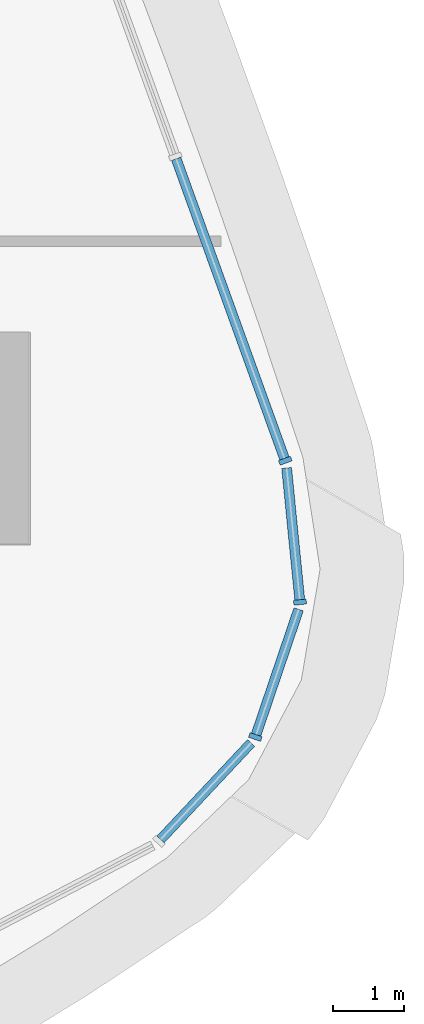
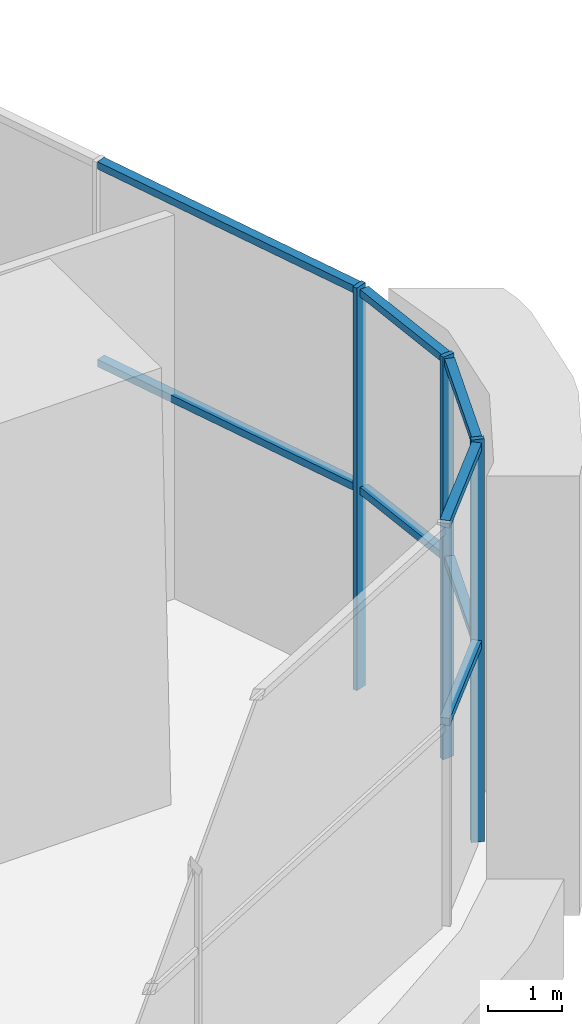
# One storey, part 9 of 23: 11 members, 4 elements without a shape of their own.
"""IFC4 building model written with IfcOpenShell, lengths in metres."""

from ifc_helpers import new_model, si_unit, direction, frame, origin, origin_2d, place, context, subcontext, project, spatial, rectangle, extrude, material, layer, layer_set, material_profile, profile_set, type_object, element, aggregate, save


model = new_model("IFC4")

# Units and contexts
model_context = context("Model", 3, precision=1e-05, world=origin(), true_north=direction((0.0, 1.0)))
body_context = subcontext(model_context, "Body", "Model", "MODEL_VIEW")
ifc_project = project(units=[si_unit("LENGTHUNIT", "METRE"), si_unit("AREAUNIT", "SQUARE_METRE"), si_unit("VOLUMEUNIT", "CUBIC_METRE"), si_unit("PLANEANGLEUNIT", "RADIAN"), si_unit("MASSUNIT", "GRAM", prefix="KILO")], contexts=[model_context])

# Site, building, storey
site_placement = place(None, origin())
site = spatial("IfcSite", under=ifc_project, at=site_placement, CompositionType="ELEMENT")
building_placement = place(site_placement, origin())
building = spatial("IfcBuilding", under=site, at=building_placement, Name="Sierra Prisma Convention Tower", CompositionType="ELEMENT")
storey_placement = place(building_placement, frame((0.0, 0.0, 40.800048828125)))
storey = spatial("IfcBuildingStorey", under=building, at=storey_placement, Name="L06", CompositionType="ELEMENT", Elevation=40.800048828125)

# Curtain wall, member
ifc_material_1 = material(Name="Aluminium and glass curtain wall", Category="aluminium")
ifc_layer = layer(ifc_material_1, 0.179931640625)
ifc_layer_set = layer_set([ifc_layer], Name="CW-4 Sky lobby double-height curtain wall")
curtain_wall_type = type_object("IfcCurtainWallType", Name="CW-4 Sky lobby double-height curtain wall", PredefinedType="NOTDEFINED", material=ifc_layer_set)
curtain_wall_1_placement = place(storey_placement, origin())
curtain_wall_1 = element("IfcCurtainWall", 1, at=curtain_wall_1_placement, inside=storey, type_object=curtain_wall_type, Name="CW-4 SE2 L06", PredefinedType="NOTDEFINED")
ifc_material_2 = material(Name="Aluminium 6063-T6 bronze anodised", Category="aluminium")
ifc_material_profile_1 = material_profile(ifc_material_2, rectangle(XDim=0.179931640625, YDim=0.070068359375, at=origin_2d()), Name="ALU MULLION 70x180")
ifc_profile_set_1 = profile_set([ifc_material_profile_1], Name="Aluminium 6063-T6 bronze anodised")
member_type_1 = type_object("IfcMemberType", Name="CW mullion bronze", PredefinedType="MULLION", material=ifc_profile_set_1)
member_1_placement = place(storey_placement, frame((32.035888671875, -20.007568359375, 0.0), z_axis=(0.0, 0.0, 1.0), x_axis=(-0.94695672394, 0.321361109945, 0.0)))
member_1 = element("IfcMember", 2, at=member_1_placement, type_object=member_type_1, Name="CW-4 mullion SE2.1", PredefinedType="MULLION", context=body_context, shape_type="SweptSolid", body=[
    extrude(rectangle(XDim=0.179931640625, YDim=0.070068359375, at=origin_2d()), origin(), (0.0, 0.0, 1.0), 6.599853515625),
])

curtain_wall_2_placement = place(storey_placement, origin())
curtain_wall_2 = element("IfcCurtainWall", 3, at=curtain_wall_2_placement, inside=storey, type_object=curtain_wall_type, Name="CW-4 SE3 L06", PredefinedType="NOTDEFINED")
member_2_placement = place(storey_placement, frame((32.66748046875, -18.1015625, 0.0), z_axis=(0.0, 0.0, 1.0), x_axis=(-0.995059215605, -0.099283218322, 0.0)))
member_2 = element("IfcMember", 4, at=member_2_placement, type_object=member_type_1, Name="CW-4 mullion SE3.1", PredefinedType="MULLION", context=body_context, shape_type="SweptSolid", body=[
    extrude(rectangle(XDim=0.179931640625, YDim=0.070068359375, at=origin_2d()), origin(), (0.0, 0.0, 1.0), 6.599853515625),
])

curtain_wall_3_placement = place(storey_placement, origin())
curtain_wall_3 = element("IfcCurtainWall", 5, at=curtain_wall_3_placement, inside=storey, type_object=curtain_wall_type, Name="CW-4 NE1 L06", PredefinedType="NOTDEFINED")
member_3_placement = place(storey_placement, frame((32.45947265625, -16.102294921875, 0.0), z_axis=(0.0, 0.0, 1.0), x_axis=(-0.94047850011, -0.339853190115, 0.0)))
member_3 = element("IfcMember", 6, at=member_3_placement, type_object=member_type_1, Name="CW-4 mullion NE1.1", PredefinedType="MULLION", context=body_context, shape_type="SweptSolid", body=[
    extrude(rectangle(XDim=0.179931640625, YDim=0.070068359375, at=origin_2d()), origin(), (0.0, 0.0, 1.0), 6.599853515625),
])

# Curtain wall, members
curtain_wall_4_placement = place(storey_placement, origin())
curtain_wall_4 = element("IfcCurtainWall", 7, at=curtain_wall_4_placement, inside=storey, type_object=curtain_wall_type, Name="CW-4 SE1 L06", PredefinedType="NOTDEFINED")
ifc_material_3 = material(Name="Aluminium 6063-T6 bronze anodised", Category="aluminium")
ifc_material_profile_2 = material_profile(ifc_material_3, rectangle(XDim=0.139892578125, YDim=0.1201171875, at=origin_2d()), Name="ALU TRANSOM 120x140")
ifc_profile_set_2 = profile_set([ifc_material_profile_2], Name="Aluminium 6063-T6 bronze anodised")
member_type_2 = type_object("IfcMemberType", Name="CW transom bronze", PredefinedType="USERDEFINED", material=ifc_profile_set_2)
member_4_placement = place(storey_placement, frame((30.6962890625, -21.4560546875, 6.5400390625), z_axis=(0.684375041664, 0.729130168316, 0.0), x_axis=(-0.729130168316, 0.684375041664, 0.0)))
member_4 = element("IfcMember", 8, at=member_4_placement, type_object=member_type_2, Name="CW-4 transom SE1.1", ObjectType="TRANSOM", PredefinedType="USERDEFINED", context=body_context, shape_type="SweptSolid", body=[
    extrude(rectangle(XDim=0.139892578125, YDim=0.1201171875, at=origin_2d()), origin(), (0.0, 0.0, 1.0), 1.87109375),
])
member_5_placement = place(storey_placement, frame((30.6962890625, -21.4560546875, 3.300048828125), z_axis=(0.684375041664, 0.729130168316, 0.0), x_axis=(-0.729130168316, 0.684375041664, 0.0)))
member_5 = element("IfcMember", 9, at=member_5_placement, type_object=member_type_2, Name="CW-4 transom SE1.1 mid", ObjectType="TRANSOM", PredefinedType="USERDEFINED", context=body_context, shape_type="SweptSolid", body=[
    extrude(rectangle(XDim=0.139892578125, YDim=0.1201171875, at=origin_2d()), origin(), (0.0, 0.0, 1.0), 1.87109375),
])
aggregate(curtain_wall_4, [member_4, member_5])

# Member
member_6_placement = place(storey_placement, frame((32.047119140625, -19.974365234375, 6.5400390625), z_axis=(0.321390374665, 0.946946792102, 0.0), x_axis=(-0.946946792102, 0.321390374665, 0.0)))
member_6 = element("IfcMember", 10, at=member_6_placement, type_object=member_type_2, Name="CW-4 transom SE2.1", ObjectType="TRANSOM", PredefinedType="USERDEFINED", context=body_context, shape_type="SweptSolid", body=[
    extrude(rectangle(XDim=0.139892578125, YDim=0.1201171875, at=origin_2d()), origin(), (0.0, 0.0, 1.0), 1.87109375),
])

member_7_placement = place(storey_placement, frame((32.047119140625, -19.974365234375, 3.300048828125), z_axis=(0.321390374665, 0.946946792102, 0.0), x_axis=(-0.946946792102, 0.321390374665, 0.0)))
member_7 = element("IfcMember", 11, at=member_7_placement, type_object=member_type_2, Name="CW-4 transom SE2.1 mid", ObjectType="TRANSOM", PredefinedType="USERDEFINED", context=body_context, shape_type="SweptSolid", body=[
    extrude(rectangle(XDim=0.139892578125, YDim=0.1201171875, at=origin_2d()), origin(), (0.0, 0.0, 1.0), 1.87109375),
])

aggregate(curtain_wall_1, [member_1, member_6, member_7])

member_8_placement = place(storey_placement, frame((32.6640625, -18.066650390625, 6.5400390625), z_axis=(-0.099297012278, 0.9950578392, 0.0), x_axis=(-0.9950578392, -0.099297012278, 0.0)))
member_8 = element("IfcMember", 12, at=member_8_placement, type_object=member_type_2, Name="CW-4 transom SE3.1", ObjectType="TRANSOM", PredefinedType="USERDEFINED", context=body_context, shape_type="SweptSolid", body=[
    extrude(rectangle(XDim=0.139892578125, YDim=0.1201171875, at=origin_2d()), origin(), (0.0, 0.0, 1.0), 1.87109375),
])

member_9_placement = place(storey_placement, frame((32.6640625, -18.066650390625, 3.300048828125), z_axis=(-0.099297012278, 0.9950578392, 0.0), x_axis=(-0.9950578392, -0.099297012278, 0.0)))
member_9 = element("IfcMember", 13, at=member_9_placement, type_object=member_type_2, Name="CW-4 transom SE3.1 mid", ObjectType="TRANSOM", PredefinedType="USERDEFINED", context=body_context, shape_type="SweptSolid", body=[
    extrude(rectangle(XDim=0.139892578125, YDim=0.1201171875, at=origin_2d()), origin(), (0.0, 0.0, 1.0), 1.87109375),
])

aggregate(curtain_wall_2, [member_2, member_8, member_9])

member_10_placement = place(storey_placement, frame((32.447509765625, -16.0693359375, 6.5400390625), z_axis=(-0.339861637628, 0.940475447457, 0.0), x_axis=(-0.940475447457, -0.339861637628, 0.0)))
member_10 = element("IfcMember", 14, at=member_10_placement, type_object=member_type_2, Name="CW-4 transom NE1.1", ObjectType="TRANSOM", PredefinedType="USERDEFINED", context=body_context, shape_type="SweptSolid", body=[
    extrude(rectangle(XDim=0.139892578125, YDim=0.1201171875, at=origin_2d()), origin(), (0.0, 0.0, 1.0), 4.502685546875),
])

member_11_placement = place(storey_placement, frame((32.447509765625, -16.0693359375, 3.300048828125), z_axis=(-0.339861637628, 0.940475447457, 0.0), x_axis=(-0.940475447457, -0.339861637628, 0.0)))
member_11 = element("IfcMember", 15, at=member_11_placement, type_object=member_type_2, Name="CW-4 transom NE1.1 mid", ObjectType="TRANSOM", PredefinedType="USERDEFINED", context=body_context, shape_type="SweptSolid", body=[
    extrude(rectangle(XDim=0.139892578125, YDim=0.1201171875, at=origin_2d()), origin(), (0.0, 0.0, 1.0), 4.502685546875),
])

aggregate(curtain_wall_3, [member_3, member_10, member_11])

save(model, "model.ifc")
